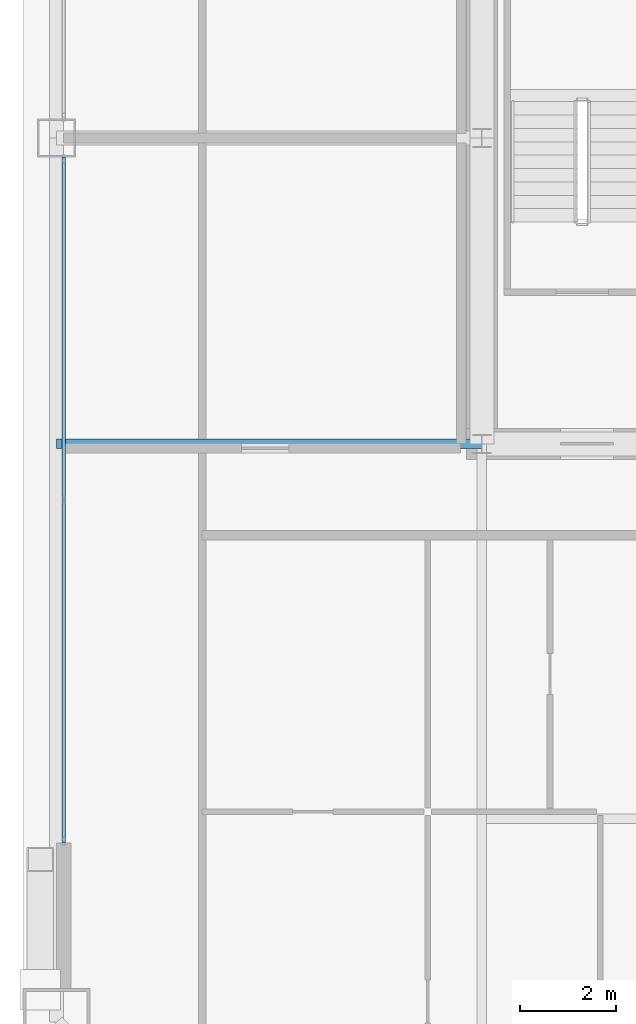
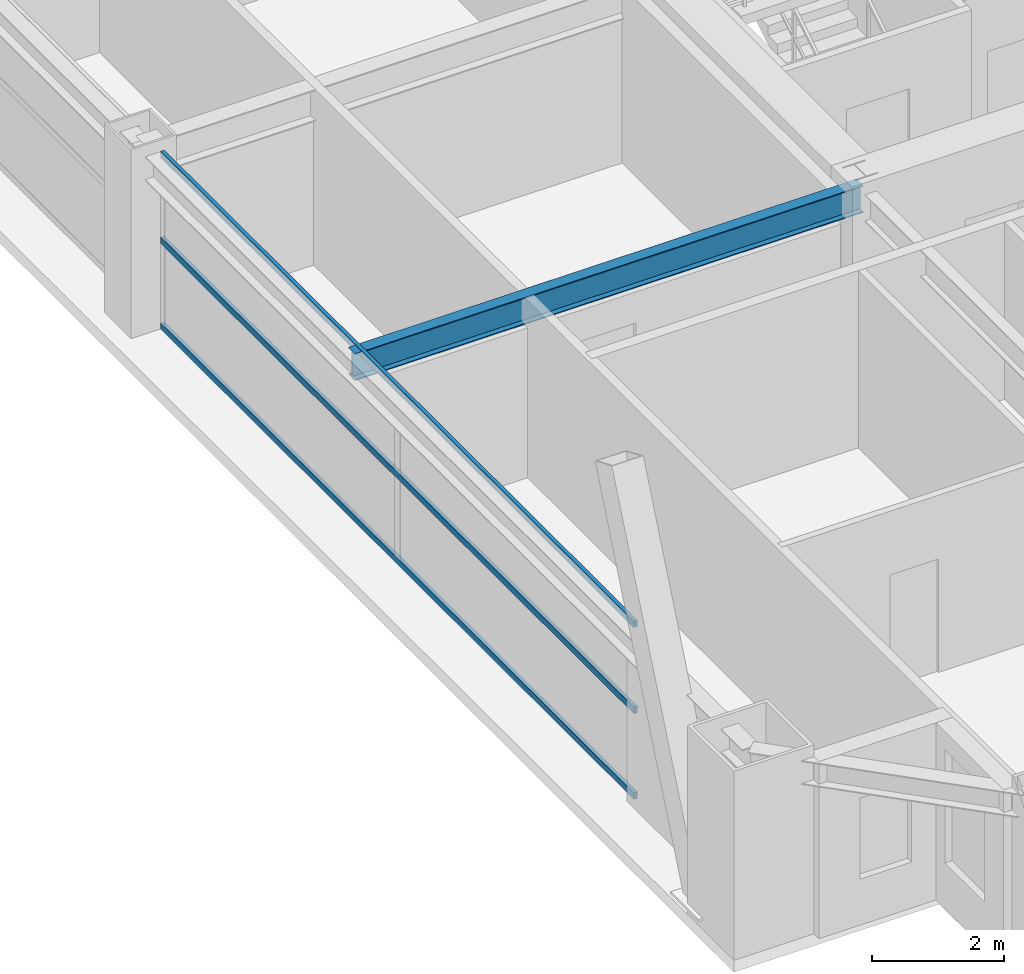
# One storey, part 15 of 45: 3 members, 1 beam, 1 element without a shape of its own.
"""IFC4 building model written with IfcOpenShell, lengths in metres."""

from ifc_helpers import new_model, si_unit, direction, frame, origin, origin_2d, place, context, subcontext, project, spatial, hollow_rectangle, i_section, extrude, source, transform, mapped, material, layer, layer_set, material_profile, profile_set, type_object, element, aggregate, save


model = new_model("IFC4")

# Units and contexts
model_context = context("Model", 3, precision=1e-05, world=origin(), true_north=direction((0.0, 1.0)))
body_context = subcontext(model_context, "Body", "Model", "MODEL_VIEW")
ifc_project = project(units=[si_unit("LENGTHUNIT", "METRE"), si_unit("AREAUNIT", "SQUARE_METRE"), si_unit("VOLUMEUNIT", "CUBIC_METRE"), si_unit("PLANEANGLEUNIT", "RADIAN"), si_unit("MASSUNIT", "GRAM", prefix="KILO"), si_unit("THERMODYNAMICTEMPERATUREUNIT", "KELVIN"), si_unit("POWERUNIT", "WATT")], contexts=[model_context])

# Site, building, storey
site_placement = place(None, origin())
site = spatial("IfcSite", under=ifc_project, at=site_placement, CompositionType="ELEMENT")
building_placement = place(site_placement, origin())
building = spatial("IfcBuilding", under=site, at=building_placement, Name="Yuzanri Waterfront Tower", CompositionType="ELEMENT")
storey_placement = place(building_placement, frame((0.0, 0.0, 212.5)))
storey = spatial("IfcBuildingStorey", under=building, at=storey_placement, Name="L56", CompositionType="ELEMENT", Elevation=212.5)

# Beam
ifc_material_1 = material(Name="Steel Q355B", Category="steel")
ifc_material_profile_1 = material_profile(ifc_material_1, i_section(OverallWidth=0.199951171875, OverallDepth=0.5, WebThickness=0.010009765625, FlangeThickness=0.01611328125, at=origin_2d()), Name="HN 500x200x10x16")
ifc_profile_set_1 = profile_set([ifc_material_profile_1], Name="Steel Q355B")
beam_type = type_object("IfcBeamType", Name="Secondary Floor Beam Q355B HN 500x200", PredefinedType="BEAM", material=ifc_profile_set_1)
shared_shape_1 = source(origin(), body_context, "Body", "SweptSolid", [
    extrude(i_section(OverallWidth=0.199951171875, OverallDepth=0.5, WebThickness=0.010009765625, FlangeThickness=0.01611328125, at=origin_2d()), origin(), (0.0, 0.0, 1.0), 8.900146484375),
])
beam_placement = place(storey_placement, frame((23.800048828125, 19.39990234375, 3.030029296875), z_axis=(-1.0, 0.0, 0.0), x_axis=(0.0, -1.0, 0.0)))
element("IfcBeam", 1, at=beam_placement, inside=storey, type_object=beam_type, Name="L56 West-South Core Line Beam", PredefinedType="BEAM", context=body_context, shape_type="MappedRepresentation", body=[
    mapped(shared_shape_1, transform((0.0, 0.0, 0.0), scale=1.0)),
])

# Curtain wall, members
ifc_material_2 = material(Name="Anodized Architectural Bronze", Category="metal")
ifc_layer = layer(ifc_material_2, 0.159912109375)
ifc_layer_set = layer_set([ifc_layer], Name="Anodized Architectural Bronze")
curtain_wall_type = type_object("IfcCurtainWallType", Name="Anodized Bronze Mid-Rise Residential Acoustic Unitized Curtain Wall 7200", PredefinedType="NOTDEFINED", material=ifc_layer_set)
curtain_wall_placement = place(storey_placement, origin())
curtain_wall = element("IfcCurtainWall", 2, at=curtain_wall_placement, inside=storey, type_object=curtain_wall_type, Name="L56 Curtain Wall CW-L56-WL", PredefinedType="NOTDEFINED")
ifc_material_3 = material(Name="Anodized Architectural Bronze", Category="metal")
ifc_material_profile_2 = material_profile(ifc_material_3, hollow_rectangle(XDim=0.06494140625, YDim=0.1201171875, WallThickness=0.00341796875, at=origin_2d()), Name="CWT 65x120")
ifc_profile_set_2 = profile_set([ifc_material_profile_2], Name="Anodized Architectural Bronze")
member_type = type_object("IfcMemberType", Name="Anodized Bronze Secondary Curtain-Wall Transom 65x120", PredefinedType="USERDEFINED", material=ifc_profile_set_2)
shared_shape_2 = source(origin(), body_context, "Body", "SweptSolid", [
    extrude(hollow_rectangle(XDim=0.06494140625, YDim=0.1201171875, WallThickness=0.00341796875, at=origin_2d()), origin(), (0.0, 0.0, 1.0), 14.349853515625),
])
member_1_placement = place(storey_placement, frame((15.050048828125, 11.050048828125, 0.050048828125), z_axis=(0.0, 1.0, 0.0), x_axis=(-1.0, 0.0, 0.0)))
member_1 = element("IfcMember", 3, at=member_1_placement, type_object=member_type, Name="CW-L56-WL Transom 1", ObjectType="TRANSOM", PredefinedType="USERDEFINED", context=body_context, shape_type="MappedRepresentation", body=[
    mapped(shared_shape_2, transform((0.0, 0.0, 0.0), scale=1.0)),
])
member_2_placement = place(storey_placement, frame((15.050048828125, 11.050048828125, 1.639892578125), z_axis=(0.0, 1.0, 0.0), x_axis=(-1.0, 0.0, 0.0)))
member_2 = element("IfcMember", 4, at=member_2_placement, type_object=member_type, Name="CW-L56-WL Transom 2", ObjectType="TRANSOM", PredefinedType="USERDEFINED", context=body_context, shape_type="MappedRepresentation", body=[
    mapped(shared_shape_2, transform((0.0, 0.0, 0.0), scale=1.0)),
])
member_3_placement = place(storey_placement, frame((15.050048828125, 11.050048828125, 3.22998046875), z_axis=(0.0, 1.0, 0.0), x_axis=(-1.0, 0.0, 0.0)))
member_3 = element("IfcMember", 5, at=member_3_placement, type_object=member_type, Name="CW-L56-WL Transom 3", ObjectType="TRANSOM", PredefinedType="USERDEFINED", context=body_context, shape_type="MappedRepresentation", body=[
    mapped(shared_shape_2, transform((0.0, 0.0, 0.0), scale=1.0)),
])
aggregate(curtain_wall, [member_1, member_2, member_3])

save(model, "model.ifc")
